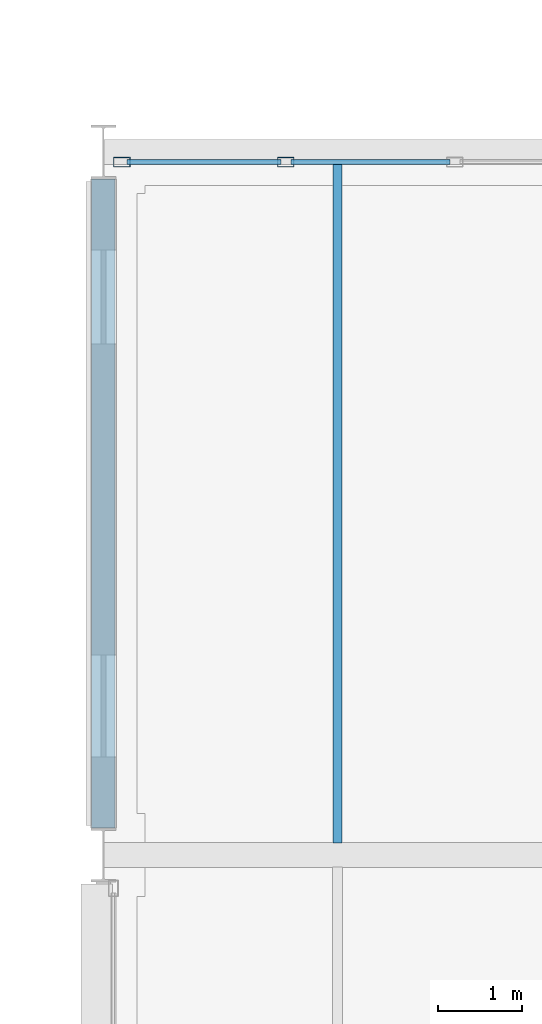
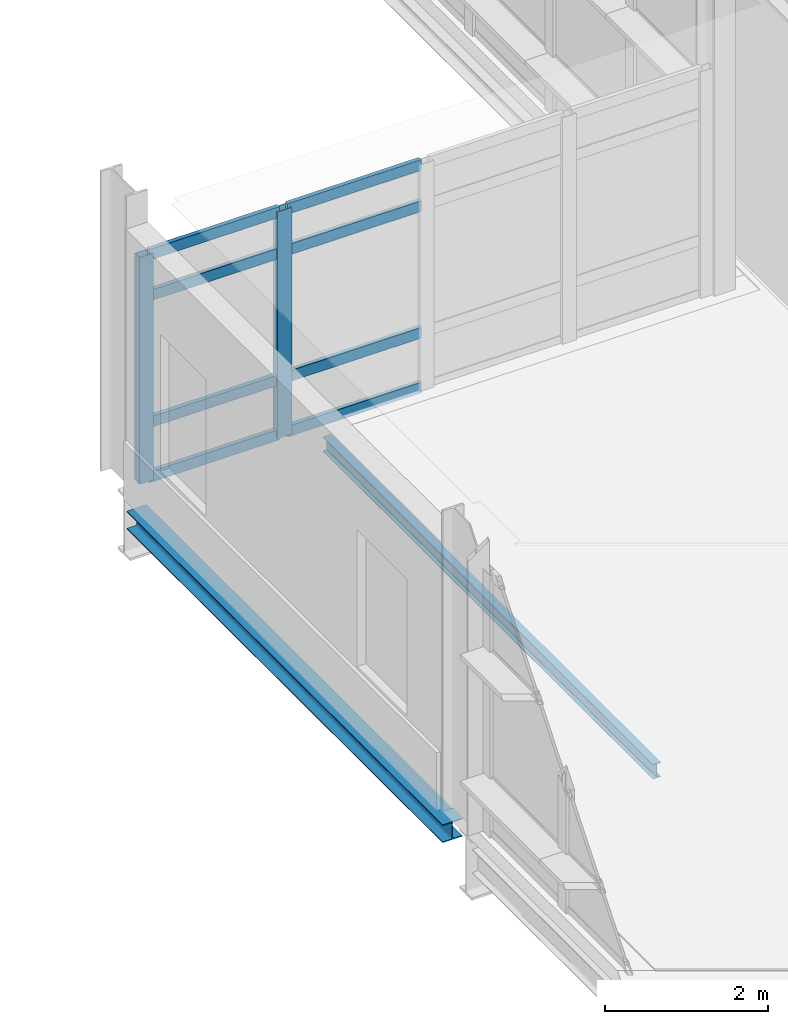
# One storey, part 45 of 129: 10 members, 2 beams, 1 element without a shape of its own.
"""IFC4 building model written with IfcOpenShell, lengths in metres."""

from ifc_helpers import new_model, si_unit, direction, frame, origin, origin_2d, place, context, subcontext, project, spatial, hollow_rectangle, i_section, extrude, material, material_profile, profile_set, type_object, element, aggregate, save


model = new_model("IFC4")

# Units and contexts
model_context = context("Model", 3, precision=1e-05, world=origin(), true_north=direction((0.0, 1.0)))
body_context = subcontext(model_context, "Body", "Model", "MODEL_VIEW")
ifc_project = project(units=[si_unit("LENGTHUNIT", "METRE"), si_unit("AREAUNIT", "SQUARE_METRE"), si_unit("VOLUMEUNIT", "CUBIC_METRE"), si_unit("PLANEANGLEUNIT", "RADIAN"), si_unit("MASSUNIT", "GRAM", prefix="KILO")], contexts=[model_context])

# Site, building, storey
site_placement = place(None, origin())
site = spatial("IfcSite", under=ifc_project, at=site_placement, CompositionType="ELEMENT")
building_placement = place(site_placement, origin())
building = spatial("IfcBuilding", under=site, at=building_placement, Name="Mersafa Astral City Hall", CompositionType="ELEMENT")
storey_placement = place(building_placement, frame((0.0, 0.0, 5.39990234375)))
storey = spatial("IfcBuildingStorey", under=building, at=storey_placement, Name="L01", CompositionType="ELEMENT", Elevation=5.39990234375)

# Curtain wall, members
ifc_material_1 = material(Name="Anodised bronze aluminium framing", Category="aluminium")
curtain_wall_type = type_object("IfcCurtainWallType", Name="ENV-CW-3", PredefinedType="USERDEFINED", material=ifc_material_1)
curtain_wall_placement = place(storey_placement, origin())
curtain_wall = element("IfcCurtainWall", 1, at=curtain_wall_placement, inside=storey, type_object=curtain_wall_type, Name="L01 Unitised solar curtain wall 92", ObjectType="UNITISED CURTAIN WALL", PredefinedType="USERDEFINED")
ifc_material_profile_1 = material_profile(ifc_material_1, hollow_rectangle(XDim=0.1201171875, YDim=0.199951171875, WallThickness=0.008056640625, at=origin_2d()), Name="RHS 120x200x8")
ifc_profile_set_1 = profile_set([ifc_material_profile_1], Name="Anodised bronze aluminium framing")
member_type_1 = type_object("IfcMemberType", Name="ENV-CW-MUL-2", PredefinedType="MULLION", material=ifc_profile_set_1)
member_1_placement = place(storey_placement, frame((94.5810546875, 92.280029296875, -0.001953125), z_axis=(0.0, 0.0, 1.0), x_axis=(0.0, -1.0, 0.0)))
member_1 = element("IfcMember", 2, at=member_1_placement, type_object=member_type_1, Name="CW-3 mullion 4", PredefinedType="MULLION", context=body_context, shape_type="SweptSolid", body=[
    extrude(hollow_rectangle(XDim=0.1201171875, YDim=0.199951171875, WallThickness=0.008056640625, at=origin_2d()), origin(), (0.0, 0.0, 1.0), 3.399169921875),
])
member_2_placement = place(storey_placement, frame((92.6220703125, 92.280029296875, -0.001953125), z_axis=(0.0, 0.0, 1.0), x_axis=(0.0, -1.0, 0.0)))
member_2 = element("IfcMember", 3, at=member_2_placement, type_object=member_type_1, Name="CW-3 mullion 5", PredefinedType="MULLION", context=body_context, shape_type="SweptSolid", body=[
    extrude(hollow_rectangle(XDim=0.1201171875, YDim=0.199951171875, WallThickness=0.008056640625, at=origin_2d()), origin(), (0.0, 0.0, 1.0), 3.399169921875),
])
ifc_material_profile_2 = material_profile(ifc_material_1, hollow_rectangle(XDim=0.06005859375, YDim=0.159912109375, WallThickness=0.00390625, at=origin_2d()), Name="RHS 60x160x4")
ifc_profile_set_2 = profile_set([ifc_material_profile_2], Name="Anodised bronze aluminium framing")
member_type_2 = type_object("IfcMemberType", Name="ENV-CW-TRN-2", PredefinedType="USERDEFINED", material=ifc_profile_set_2)
member_3_placement = place(storey_placement, frame((96.5400390625, 92.280029296875, 0.028076171875), z_axis=(-1.0, 0.0, 0.0), x_axis=(0.0, -1.0, 0.0)))
member_3 = element("IfcMember", 4, at=member_3_placement, type_object=member_type_2, Name="CW-3 transom 3.1", ObjectType="TRANSOM", PredefinedType="USERDEFINED", context=body_context, shape_type="SweptSolid", body=[
    extrude(hollow_rectangle(XDim=0.06005859375, YDim=0.159912109375, WallThickness=0.00390625, at=origin_2d()), origin(), (0.0, 0.0, 1.0), 1.89892578125),
])
member_4_placement = place(storey_placement, frame((96.5400390625, 92.280029296875, 0.85009765625), z_axis=(-1.0, 0.0, 0.0), x_axis=(0.0, -1.0, 0.0)))
member_4 = element("IfcMember", 5, at=member_4_placement, type_object=member_type_2, Name="CW-3 transom 3.2", ObjectType="TRANSOM", PredefinedType="USERDEFINED", context=body_context, shape_type="SweptSolid", body=[
    extrude(hollow_rectangle(XDim=0.06005859375, YDim=0.159912109375, WallThickness=0.00390625, at=origin_2d()), origin(), (0.0, 0.0, 1.0), 1.89892578125),
])
member_5_placement = place(storey_placement, frame((96.5400390625, 92.280029296875, 2.75), z_axis=(-1.0, 0.0, 0.0), x_axis=(0.0, -1.0, 0.0)))
member_5 = element("IfcMember", 6, at=member_5_placement, type_object=member_type_2, Name="CW-3 transom 3.3", ObjectType="TRANSOM", PredefinedType="USERDEFINED", context=body_context, shape_type="SweptSolid", body=[
    extrude(hollow_rectangle(XDim=0.06005859375, YDim=0.159912109375, WallThickness=0.00390625, at=origin_2d()), origin(), (0.0, 0.0, 1.0), 1.89892578125),
])
member_6_placement = place(storey_placement, frame((96.5400390625, 92.280029296875, 3.3671875), z_axis=(-1.0, 0.0, 0.0), x_axis=(0.0, -1.0, 0.0)))
member_6 = element("IfcMember", 7, at=member_6_placement, type_object=member_type_2, Name="CW-3 transom 3.4", ObjectType="TRANSOM", PredefinedType="USERDEFINED", context=body_context, shape_type="SweptSolid", body=[
    extrude(hollow_rectangle(XDim=0.06005859375, YDim=0.159912109375, WallThickness=0.00390625, at=origin_2d()), origin(), (0.0, 0.0, 1.0), 1.89892578125),
])
member_7_placement = place(storey_placement, frame((94.52099609375, 92.280029296875, 0.028076171875), z_axis=(-1.0, 0.0, 0.0), x_axis=(0.0, -1.0, 0.0)))
member_7 = element("IfcMember", 8, at=member_7_placement, type_object=member_type_2, Name="CW-3 transom 4.1", ObjectType="TRANSOM", PredefinedType="USERDEFINED", context=body_context, shape_type="SweptSolid", body=[
    extrude(hollow_rectangle(XDim=0.06005859375, YDim=0.159912109375, WallThickness=0.00390625, at=origin_2d()), origin(), (0.0, 0.0, 1.0), 1.839111328125),
])
member_8_placement = place(storey_placement, frame((94.52099609375, 92.280029296875, 0.85009765625), z_axis=(-1.0, 0.0, 0.0), x_axis=(0.0, -1.0, 0.0)))
member_8 = element("IfcMember", 9, at=member_8_placement, type_object=member_type_2, Name="CW-3 transom 4.2", ObjectType="TRANSOM", PredefinedType="USERDEFINED", context=body_context, shape_type="SweptSolid", body=[
    extrude(hollow_rectangle(XDim=0.06005859375, YDim=0.159912109375, WallThickness=0.00390625, at=origin_2d()), origin(), (0.0, 0.0, 1.0), 1.839111328125),
])
member_9_placement = place(storey_placement, frame((94.52099609375, 92.280029296875, 2.75), z_axis=(-1.0, 0.0, 0.0), x_axis=(0.0, -1.0, 0.0)))
member_9 = element("IfcMember", 10, at=member_9_placement, type_object=member_type_2, Name="CW-3 transom 4.3", ObjectType="TRANSOM", PredefinedType="USERDEFINED", context=body_context, shape_type="SweptSolid", body=[
    extrude(hollow_rectangle(XDim=0.06005859375, YDim=0.159912109375, WallThickness=0.00390625, at=origin_2d()), origin(), (0.0, 0.0, 1.0), 1.839111328125),
])
member_10_placement = place(storey_placement, frame((94.52099609375, 92.280029296875, 3.3671875), z_axis=(-1.0, 0.0, 0.0), x_axis=(0.0, -1.0, 0.0)))
member_10 = element("IfcMember", 11, at=member_10_placement, type_object=member_type_2, Name="CW-3 transom 4.4", ObjectType="TRANSOM", PredefinedType="USERDEFINED", context=body_context, shape_type="SweptSolid", body=[
    extrude(hollow_rectangle(XDim=0.06005859375, YDim=0.159912109375, WallThickness=0.00390625, at=origin_2d()), origin(), (0.0, 0.0, 1.0), 1.839111328125),
])
aggregate(curtain_wall, [member_1, member_2, member_3, member_4, member_5, member_6, member_7, member_8, member_9, member_10])

# Beams
ifc_material_2 = material(Name="Steel S355", Category="steel")
ifc_material_profile_3 = material_profile(ifc_material_2, i_section(OverallWidth=0.110107421875, OverallDepth=0.219970703125, WebThickness=0.005859375, FlangeThickness=0.00927734375, FilletRadius=0.011962890625, at=origin_2d()), Name="IPE 220")
ifc_profile_set_3 = profile_set([ifc_material_profile_3], Name="Steel S355")
beam_type_1 = type_object("IfcBeamType", Name="STR-BM-JOIST-IPE220", PredefinedType="JOIST", material=ifc_profile_set_3)
beam_1_placement = place(storey_placement, frame((95.199951171875, 84.14501953125, -0.3349609375), z_axis=(0.0, 1.0, 0.0), x_axis=(-1.0, 0.0, 0.0)))
element("IfcBeam", 12, at=beam_1_placement, inside=storey, type_object=beam_type_1, Name="L01 Composite secondary floor joist 282", PredefinedType="JOIST", context=body_context, shape_type="SweptSolid", body=[
    extrude(i_section(OverallWidth=0.110107421875, OverallDepth=0.219970703125, WebThickness=0.005859375, FlangeThickness=0.00927734375, FilletRadius=0.011962890625, at=origin_2d()), origin(), (0.0, 0.0, 1.0), 8.10986328125),
])
ifc_material_profile_4 = material_profile(ifc_material_2, i_section(OverallWidth=0.280029296875, OverallDepth=0.27001953125, WebThickness=0.008056640625, FlangeThickness=0.012939453125, FilletRadius=0.02392578125, at=origin_2d()), Name="HEA 280")
ifc_profile_set_4 = profile_set([ifc_material_profile_4], Name="Steel S355")
beam_type_2 = type_object("IfcBeamType", Name="STR-BM-SPANDREL-HEA280", PredefinedType="SPANDREL", material=ifc_profile_set_4)
beam_2_placement = place(storey_placement, frame((92.39990234375, 84.320068359375, -0.35986328125), z_axis=(0.0, 1.0, 0.0), x_axis=(-1.0, 0.0, 0.0)))
element("IfcBeam", 13, at=beam_2_placement, inside=storey, type_object=beam_type_2, Name="L01 Primary girder Y 11-10", PredefinedType="SPANDREL", context=body_context, shape_type="SweptSolid", body=[
    extrude(i_section(OverallWidth=0.280029296875, OverallDepth=0.27001953125, WebThickness=0.008056640625, FlangeThickness=0.012939453125, FilletRadius=0.02392578125, at=origin_2d()), origin(), (0.0, 0.0, 1.0), 7.760009765625),
])

save(model, "model.ifc")
